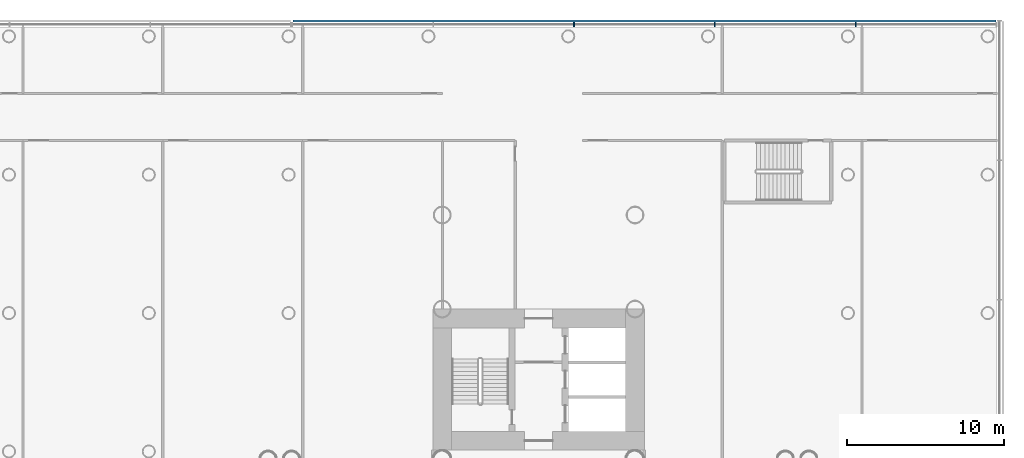
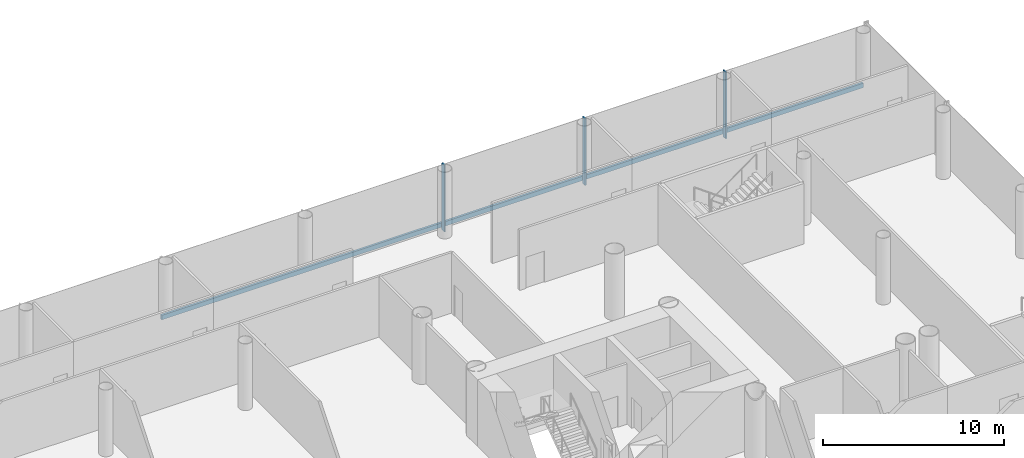
# One storey, part 12 of 49: 4 members, 1 element without a shape of its own.
"""IFC4 building model written with IfcOpenShell, lengths in metres."""

from ifc_helpers import new_model, si_unit, direction, frame, origin, origin_2d, place, context, subcontext, project, spatial, rectangle, extrude, material, layer, layer_set, material_profile, profile_set, type_object, element, aggregate, save


model = new_model("IFC4")

# Units and contexts
model_context = context("Model", 3, precision=1e-05, world=origin(), true_north=direction((0.0, 1.0)))
body_context = subcontext(model_context, "Body", "Model", "MODEL_VIEW")
ifc_project = project(units=[si_unit("LENGTHUNIT", "METRE"), si_unit("AREAUNIT", "SQUARE_METRE"), si_unit("VOLUMEUNIT", "CUBIC_METRE"), si_unit("PLANEANGLEUNIT", "RADIAN"), si_unit("MASSUNIT", "GRAM", prefix="KILO")], contexts=[model_context])

# Site, building, storey
site_placement = place(None, origin())
site = spatial("IfcSite", under=ifc_project, at=site_placement, CompositionType="ELEMENT")
building_placement = place(site_placement, origin())
building = spatial("IfcBuilding", under=site, at=building_placement, Name="Ipe Terrace Towers", CompositionType="ELEMENT")
storey_placement = place(building_placement, frame((0.0, 0.0, 11.0)))
storey = spatial("IfcBuildingStorey", under=building, at=storey_placement, Name="L02", CompositionType="ELEMENT", Elevation=11.0)

# Curtain wall, members
ifc_material_1 = material(Name="Aluminium alloy 6063-T6", Category="aluminium")
ifc_layer = layer(ifc_material_1, 0.43994140625)
ifc_layer_set = layer_set([ifc_layer], Name="PODIUM GLAZING CURTAIN WALL")
curtain_wall_type = type_object("IfcCurtainWallType", Name="PODIUM GLAZING CURTAIN WALL", PredefinedType="NOTDEFINED", material=ifc_layer_set)
curtain_wall_placement = place(storey_placement, origin())
curtain_wall = element("IfcCurtainWall", 1, at=curtain_wall_placement, inside=storey, type_object=curtain_wall_type, Name="POD-CW-L02-01a curtain wall", PredefinedType="NOTDEFINED")
ifc_material_2 = material(Name="Aluminium alloy 6063-T6", Category="aluminium")
ifc_material_profile_1 = material_profile(ifc_material_2, rectangle(XDim=0.300048828125, YDim=0.080078125, at=origin_2d()), Name="PODIUM GLAZING MULLION 300 x 80")
ifc_profile_set_1 = profile_set([ifc_material_profile_1], Name="Aluminium alloy 6063-T6")
member_type_1 = type_object("IfcMemberType", Name="PODIUM GLAZING MULLION 300 x 80", PredefinedType="MULLION", material=ifc_profile_set_1)
member_1_placement = place(storey_placement, frame((56.22607421875, 33.89990234375, -0.300048828125), z_axis=(0.0, 0.0, 1.0), x_axis=(0.0, 1.0, 0.0)))
member_1 = element("IfcMember", 2, at=member_1_placement, type_object=member_type_1, Name="POD-CW-L02-01a mullion 2", PredefinedType="MULLION", context=body_context, shape_type="SweptSolid", body=[
    extrude(rectangle(XDim=0.300048828125, YDim=0.080078125, at=origin_2d()), origin(), (0.0, 0.0, 1.0), 4.5),
])
member_2_placement = place(storey_placement, frame((47.241943359375, 33.89990234375, -0.300048828125), z_axis=(0.0, 0.0, 1.0), x_axis=(0.0, 1.0, 0.0)))
member_2 = element("IfcMember", 3, at=member_2_placement, type_object=member_type_1, Name="POD-CW-L02-01a mullion 3", PredefinedType="MULLION", context=body_context, shape_type="SweptSolid", body=[
    extrude(rectangle(XDim=0.300048828125, YDim=0.080078125, at=origin_2d()), origin(), (0.0, 0.0, 1.0), 4.5),
])
member_3_placement = place(storey_placement, frame((38.258056640625, 33.89990234375, -0.300048828125), z_axis=(0.0, 0.0, 1.0), x_axis=(0.0, 1.0, 0.0)))
member_3 = element("IfcMember", 4, at=member_3_placement, type_object=member_type_1, Name="POD-CW-L02-01a mullion 4", PredefinedType="MULLION", context=body_context, shape_type="SweptSolid", body=[
    extrude(rectangle(XDim=0.300048828125, YDim=0.080078125, at=origin_2d()), origin(), (0.0, 0.0, 1.0), 4.5),
])
ifc_material_3 = material(Name="Aluminium alloy 6063-T6", Category="aluminium")
ifc_material_profile_2 = material_profile(ifc_material_3, rectangle(XDim=0.139892578125, YDim=0.300048828125, at=origin_2d()), Name="PODIUM GLAZING TRANSOM 140 x 300")
ifc_profile_set_2 = profile_set([ifc_material_profile_2], Name="Aluminium alloy 6063-T6")
member_type_2 = type_object("IfcMemberType", Name="PODIUM GLAZING TRANSOM 140 x 300", PredefinedType="USERDEFINED", material=ifc_profile_set_2)
member_4_placement = place(storey_placement, frame((65.169921875, 34.1201171875, 0.0), z_axis=(-1.0, 0.0, 0.0), x_axis=(0.0, 1.0, 0.0)))
member_4 = element("IfcMember", 5, at=member_4_placement, type_object=member_type_2, Name="POD-CW-L02-01a transom", ObjectType="TRANSOM", PredefinedType="USERDEFINED", context=body_context, shape_type="SweptSolid", body=[
    extrude(rectangle(XDim=0.139892578125, YDim=0.300048828125, at=origin_2d()), origin(), (0.0, 0.0, 1.0), 44.83984375),
])
aggregate(curtain_wall, [member_1, member_2, member_3, member_4])

save(model, "model.ifc")
